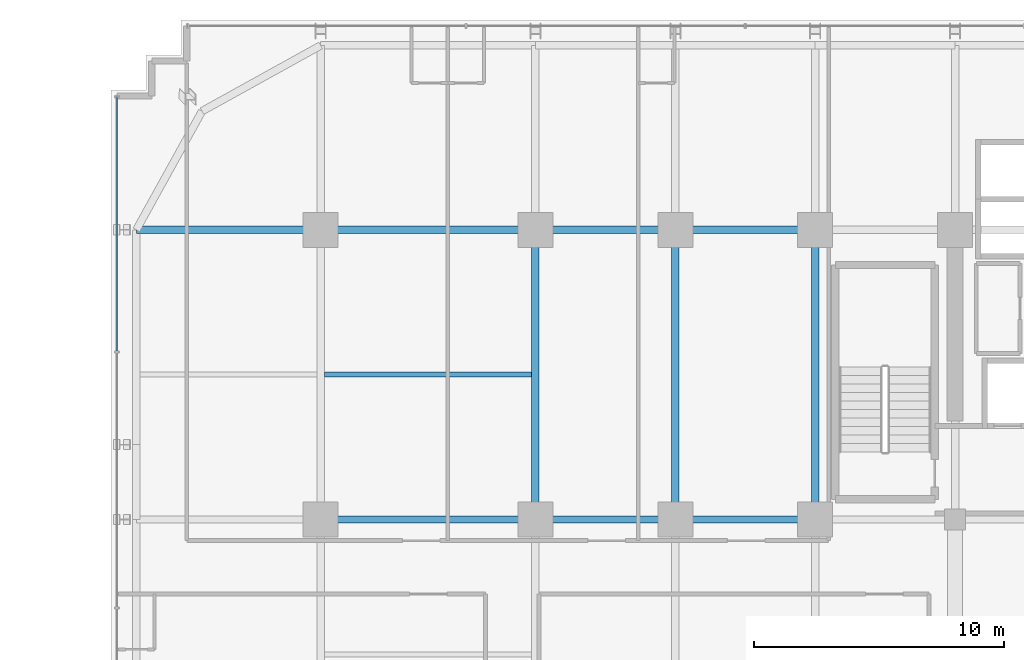
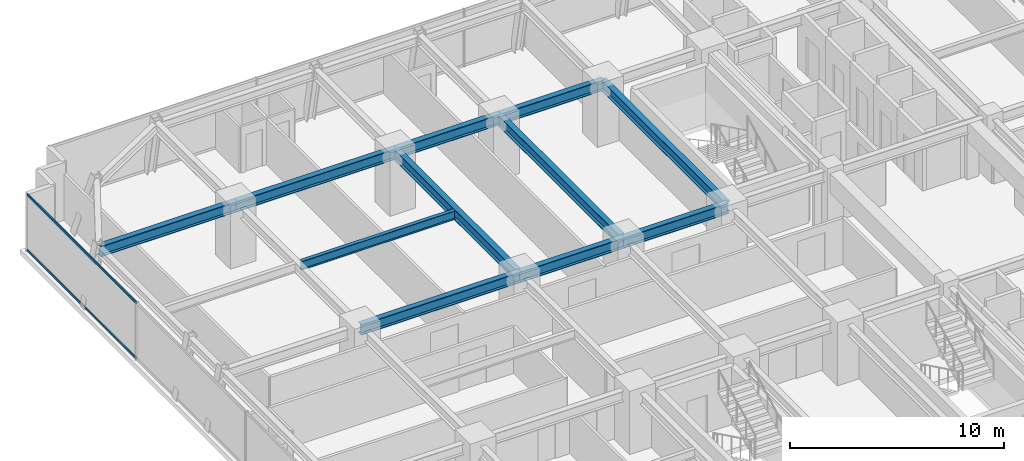
# One storey, part 18 of 35: 11 beams, 2 members, 1 element without a shape of its own.
"""IFC4 building model written with IfcOpenShell, lengths in metres."""

from ifc_helpers import new_model, si_unit, direction, frame, origin, origin_2d, place, context, subcontext, project, spatial, hollow_rectangle, i_section, extrude, source, transform, mapped, material, material_profile, profile_set, type_object, element, aggregate, save


model = new_model("IFC4")

# Units and contexts
model_context = context("Model", 3, precision=1e-05, world=origin(), true_north=direction((0.0, 1.0)))
body_context = subcontext(model_context, "Body", "Model", "MODEL_VIEW")
ifc_project = project(units=[si_unit("LENGTHUNIT", "METRE"), si_unit("AREAUNIT", "SQUARE_METRE"), si_unit("VOLUMEUNIT", "CUBIC_METRE"), si_unit("PLANEANGLEUNIT", "RADIAN"), si_unit("MASSUNIT", "GRAM", prefix="KILO")], contexts=[model_context])

# Site, building, storey
site_placement = place(None, origin())
site = spatial("IfcSite", under=ifc_project, at=site_placement, CompositionType="ELEMENT")
building_placement = place(site_placement, origin())
building = spatial("IfcBuilding", under=site, at=building_placement, Name="Nahalor Promenade Grand Hotel", CompositionType="ELEMENT")
storey_placement = place(building_placement, frame((0.0, 0.0, 79.85009765625)))
storey = spatial("IfcBuildingStorey", under=building, at=storey_placement, Name="L19", CompositionType="ELEMENT", Elevation=79.85009765625)

# Beams
ifc_material_1 = material(Name="Steel S355JR", Category="steel")
ifc_material_profile_1 = material_profile(ifc_material_1, i_section(OverallWidth=0.3, OverallDepth=0.6, WebThickness=0.0155, FlangeThickness=0.03, at=origin_2d()), Name="HEB 600")
ifc_profile_set_1 = profile_set([ifc_material_profile_1], Name="Steel S355JR")
beam_type_1 = type_object("IfcBeamType", Name="Beam-Girder-HEB600", PredefinedType="BEAM", material=ifc_profile_set_1)
shared_shape_1 = source(origin(), body_context, "Body", "SweptSolid", [
    extrude(i_section(OverallWidth=0.3, OverallDepth=0.6, WebThickness=0.0155, FlangeThickness=0.03, at=origin_2d()), origin(), (0.0, 0.0, 1.0), 8.60009765625),
])
for number, where, z_axis, x_axis, name in (
    (1, (-17.0, 5.39990234375, 2.989990234375), (1.0, 0.0, 0.0), (0.0, 1.0, 0.0), "BM-L19-GX-2-1"),
    (2, (-17.0, 17.0, 2.989990234375), (1.0, 0.0, 0.0), (0.0, 1.0, 0.0), "BM-L19-GX-3-1"),
):
    element("IfcBeam", number, at=place(storey_placement, frame(where, z_axis=z_axis, x_axis=x_axis)), inside=storey, type_object=beam_type_1, Name=name, PredefinedType="BEAM", context=body_context, shape_type="MappedRepresentation", body=[
        mapped(shared_shape_1, transform((0.0, 0.0, 0.0), scale=1.0)),
    ])
shared_shape_2 = source(origin(), body_context, "Body", "SweptSolid", [
    extrude(i_section(OverallWidth=0.3, OverallDepth=0.6, WebThickness=0.0155, FlangeThickness=0.03, at=origin_2d()), origin(), (0.0, 0.0, 1.0), 5.599853515625),
])
for number, where, z_axis, x_axis, name in (
    (3, (-8.39990234375, 5.39990234375, 2.989990234375), (1.0, 0.0, 0.0), (0.0, 1.0, 0.0), "BM-L19-GX-2-2"),
    (4, (-8.39990234375, 17.0, 2.989990234375), (1.0, 0.0, 0.0), (0.0, 1.0, 0.0), "BM-L19-GX-3-2"),
):
    element("IfcBeam", number, at=place(storey_placement, frame(where, z_axis=z_axis, x_axis=x_axis)), inside=storey, type_object=beam_type_1, Name=name, PredefinedType="BEAM", context=body_context, shape_type="MappedRepresentation", body=[
        mapped(shared_shape_2, transform((0.0, 0.0, 0.0), scale=1.0)),
    ])
shared_shape_3 = source(origin(), body_context, "Body", "SweptSolid", [
    extrude(i_section(OverallWidth=0.3, OverallDepth=0.6, WebThickness=0.0155, FlangeThickness=0.03, at=origin_2d()), origin(), (0.0, 0.0, 1.0), 5.60009765625),
])
for number, where, z_axis, x_axis, name in (
    (5, (-2.800048828125, 5.39990234375, 2.989990234375), (1.0, 0.0, 0.0), (0.0, 1.0, 0.0), "BM-L19-GX-2-3"),
    (6, (-2.800048828125, 17.0, 2.989990234375), (1.0, 0.0, 0.0), (0.0, 1.0, 0.0), "BM-L19-GX-3-3"),
):
    element("IfcBeam", number, at=place(storey_placement, frame(where, z_axis=z_axis, x_axis=x_axis)), inside=storey, type_object=beam_type_1, Name=name, PredefinedType="BEAM", context=body_context, shape_type="MappedRepresentation", body=[
        mapped(shared_shape_3, transform((0.0, 0.0, 0.0), scale=1.0)),
    ])
shared_shape_4 = source(origin(), body_context, "Body", "SweptSolid", [
    extrude(i_section(OverallWidth=0.3, OverallDepth=0.6, WebThickness=0.0155, FlangeThickness=0.03, at=origin_2d()), origin(), (0.0, 0.0, 1.0), 11.60009765625),
])
for number, where, z_axis, x_axis, name in (
    (7, (-8.39990234375, 5.39990234375, 2.989990234375), (0.0, 1.0, 0.0), (-1.0, 0.0, 0.0), "BM-L19-GY-1-3"),
    (8, (-2.800048828125, 5.39990234375, 2.989990234375), (0.0, 1.0, 0.0), (-1.0, 0.0, 0.0), "BM-L19-GY-2-3"),
    (9, (2.800048828125, 5.39990234375, 2.989990234375), (0.0, 1.0, 0.0), (-1.0, 0.0, 0.0), "BM-L19-GY-3-3"),
):
    element("IfcBeam", number, at=place(storey_placement, frame(where, z_axis=z_axis, x_axis=x_axis)), inside=storey, type_object=beam_type_1, Name=name, PredefinedType="BEAM", context=body_context, shape_type="MappedRepresentation", body=[
        mapped(shared_shape_4, transform((0.0, 0.0, 0.0), scale=1.0)),
    ])
ifc_material_profile_2 = material_profile(ifc_material_1, i_section(OverallWidth=0.2, OverallDepth=0.5, WebThickness=0.0102, FlangeThickness=0.016, at=origin_2d()), Name="IPE 500")
ifc_profile_set_2 = profile_set([ifc_material_profile_2], Name="Steel S355JR")
beam_type_2 = type_object("IfcBeamType", Name="Beam-Joist-IPE500", PredefinedType="JOIST", material=ifc_profile_set_2)
shared_shape_5 = source(origin(), body_context, "Body", "SweptSolid", [
    extrude(i_section(OverallWidth=0.2, OverallDepth=0.5, WebThickness=0.0102, FlangeThickness=0.016, at=origin_2d()), origin(), (0.0, 0.0, 1.0), 8.300048828125),
])
beam_1_placement = place(storey_placement, frame((-16.85009765625, 11.199951171875, 3.039794921875), z_axis=(1.0, 0.0, 0.0), x_axis=(0.0, 1.0, 0.0)))
element("IfcBeam", 10, at=beam_1_placement, inside=storey, type_object=beam_type_2, Name="BM-L19-JSW-1-1", PredefinedType="JOIST", context=body_context, shape_type="MappedRepresentation", body=[
    mapped(shared_shape_5, transform((0.0, 0.0, 0.0), scale=1.0)),
])
shared_shape_6 = source(origin(), body_context, "Body", "SweptSolid", [
    extrude(i_section(OverallWidth=0.3, OverallDepth=0.6, WebThickness=0.0155, FlangeThickness=0.03, at=origin_2d()), origin(), (0.0, 0.0, 1.0), 7.3798828125),
])
beam_2_placement = place(storey_placement, frame((-24.3798828125, 17.0, 2.989990234375), z_axis=(1.0, 0.0, 0.0), x_axis=(0.0, 1.0, 0.0)))
element("IfcBeam", 11, at=beam_2_placement, inside=storey, type_object=beam_type_1, Name="BM-L19-GX-3-0", PredefinedType="BEAM", context=body_context, shape_type="MappedRepresentation", body=[
    mapped(shared_shape_6, transform((0.0, 0.0, 0.0), scale=1.0)),
])

# Curtain wall, members
ifc_material_2 = material(Name="Anodised Bronze Aluminium EN AW-6063 T6", Category="aluminium")
curtain_wall_type = type_object("IfcCurtainWallType", Name="CW2 Typical Hotel Flush Bronze Unitised Curtain Wall", PredefinedType="USERDEFINED", material=ifc_material_2)
curtain_wall_placement = place(storey_placement, origin())
curtain_wall = element("IfcCurtainWall", 12, at=curtain_wall_placement, inside=storey, type_object=curtain_wall_type, Name="L19 Curtain Wall CW-L19-W-3", ObjectType="UNITISED_CURTAIN_WALL", PredefinedType="USERDEFINED")
ifc_material_profile_3 = material_profile(ifc_material_2, hollow_rectangle(XDim=0.065, YDim=0.13, WallThickness=0.004, at=origin_2d()), Name="CWT 65x130x4")
ifc_profile_set_3 = profile_set([ifc_material_profile_3], Name="Anodised Bronze Aluminium EN AW-6063 T6")
member_type = type_object("IfcMemberType", Name="CWT2 Typical Bronze Transom 65x130", PredefinedType="USERDEFINED", material=ifc_profile_set_3)
shared_shape_7 = source(origin(), body_context, "Body", "SweptSolid", [
    extrude(hollow_rectangle(XDim=0.065, YDim=0.13, WallThickness=0.004, at=origin_2d()), origin(), (0.0, 0.0, 1.0), 10.15576171875),
])
member_1_placement = place(storey_placement, frame((-25.159912109375, 12.13916015625, 0.06494140625), z_axis=(0.0, 1.0, 0.0), x_axis=(-1.0, 0.0, 0.0)))
member_1 = element("IfcMember", 13, at=member_1_placement, type_object=member_type, Name="CW-L19-W-3 Transom 2-0", ObjectType="TRANSOM", PredefinedType="USERDEFINED", context=body_context, shape_type="MappedRepresentation", body=[
    mapped(shared_shape_7, transform((0.0, 0.0, 0.0), scale=1.0)),
])
member_2_placement = place(storey_placement, frame((-25.159912109375, 12.13916015625, 3.224853515625), z_axis=(0.0, 1.0, 0.0), x_axis=(-1.0, 0.0, 0.0)))
member_2 = element("IfcMember", 14, at=member_2_placement, type_object=member_type, Name="CW-L19-W-3 Transom 2-1", ObjectType="TRANSOM", PredefinedType="USERDEFINED", context=body_context, shape_type="MappedRepresentation", body=[
    mapped(shared_shape_7, transform((0.0, 0.0, 0.0), scale=1.0)),
])
aggregate(curtain_wall, [member_1, member_2])

save(model, "model.ifc")
